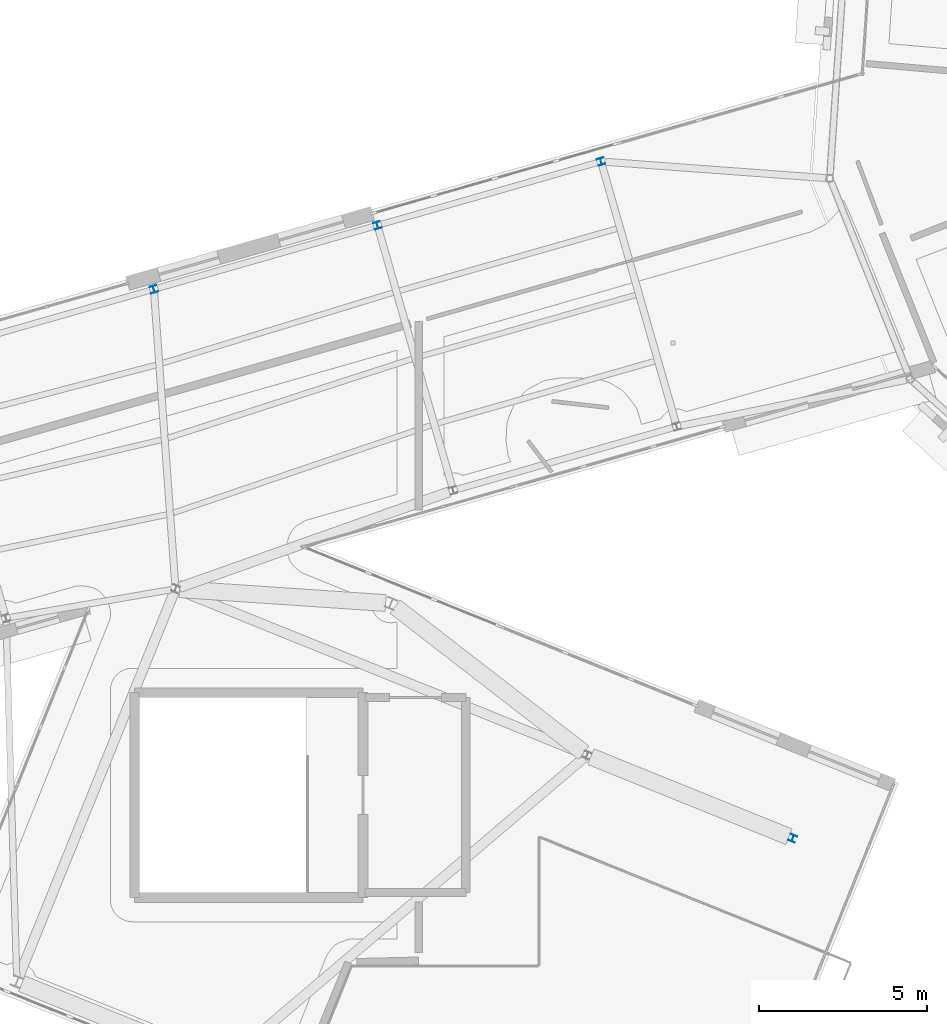
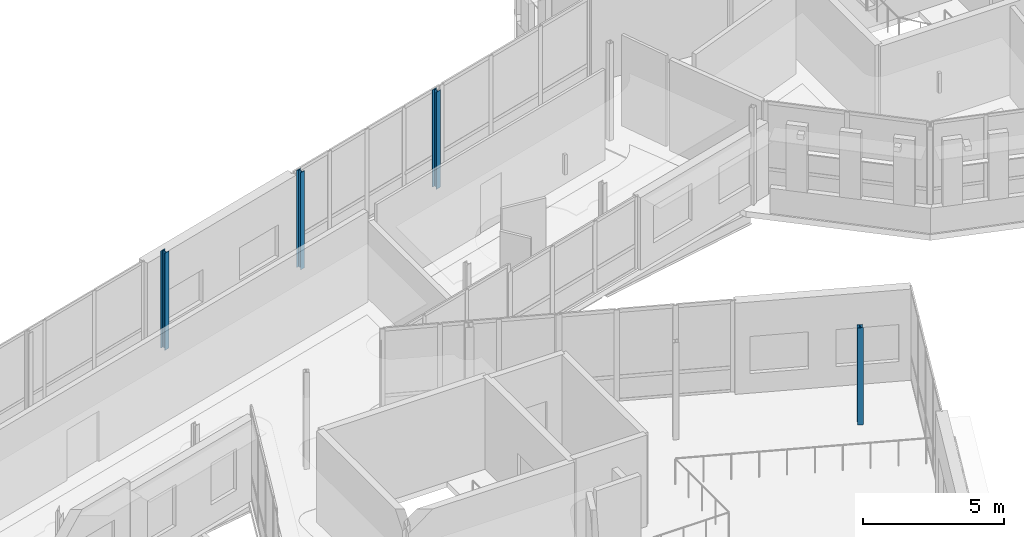
# One storey, part 14 of 125: 4 columns.
"""IFC4 building model written with IfcOpenShell, lengths in metres."""

from ifc_helpers import new_model, si_unit, direction, frame, origin, origin_2d, place, context, subcontext, project, spatial, i_section, extrude, material, material_profile, profile_set, type_object, element, save


model = new_model("IFC4")

# Units and contexts
model_context = context("Model", 3, precision=1e-05, world=origin(), true_north=direction((0.0, 1.0)))
body_context = subcontext(model_context, "Body", "Model", "MODEL_VIEW")
ifc_project = project(units=[si_unit("LENGTHUNIT", "METRE"), si_unit("AREAUNIT", "SQUARE_METRE"), si_unit("VOLUMEUNIT", "CUBIC_METRE"), si_unit("PLANEANGLEUNIT", "RADIAN"), si_unit("MASSUNIT", "GRAM", prefix="KILO")], contexts=[model_context])

# Site, building, storey
site_placement = place(None, origin())
site = spatial("IfcSite", under=ifc_project, at=site_placement, CompositionType="ELEMENT")
building_placement = place(site_placement, origin())
building = spatial("IfcBuilding", under=site, at=building_placement, Name="Wrenclough Park School", CompositionType="ELEMENT")
storey_placement = place(building_placement, frame((0.0, 0.0, 4.199951171875)))
storey = spatial("IfcBuildingStorey", under=building, at=storey_placement, Name="L01", CompositionType="ELEMENT", Elevation=4.199951171875)

# Columns
ifc_material = material(Name="Structural steel S355", Category="steel")
ifc_material_profile = material_profile(ifc_material, i_section(OverallWidth=0.205810546875, OverallDepth=0.209716796875, WebThickness=0.009521484375, FlangeThickness=0.01416015625, FilletRadius=0.01025390625, at=origin_2d()), Name="UKC 203x203x60")
ifc_profile_set = profile_set([ifc_material_profile], Name="Structural steel S355")
column_type = type_object("IfcColumnType", Name="STR-COL-UKC203B", PredefinedType="COLUMN", material=ifc_profile_set)
for number, where, z_axis, x_axis, name in (
    (1, (67.627197265625, 86.61279296875, 0.0), (0.0, 0.0, 1.0), (0.927183854567, -0.374606593416, 0.0), "W34 L01 column EAVE-COURTYARD-B4"),
    (2, (48.62353515625, 102.942138671875, 0.0), (0.0, 0.0, 1.0), (0.961501868857, 0.27479839189, 0.0), "W34 L01 column W34-C1-L05"),
    (3, (55.273681640625, 104.84228515625, 0.0), (0.0, 0.0, 1.0), (0.961501868857, 0.27479839189, 0.0), "W34 L01 column W34-C1-L06"),
    (4, (61.923583984375, 106.7421875, 0.0), (0.0, 0.0, 1.0), (0.961501868857, 0.27479839189, 0.0), "W34 L01 column W34-C1-L07"),
):
    element("IfcColumn", number, at=place(storey_placement, frame(where, z_axis=z_axis, x_axis=x_axis)), inside=storey, type_object=column_type, Name=name, PredefinedType="COLUMN", context=body_context, shape_type="SweptSolid", body=[
        extrude(i_section(OverallWidth=0.205810546875, OverallDepth=0.209716796875, WebThickness=0.009521484375, FlangeThickness=0.01416015625, FilletRadius=0.01025390625, at=origin_2d()), origin(), (0.0, 0.0, 1.0), 4.199951171875),
    ])

save(model, "model.ifc")
